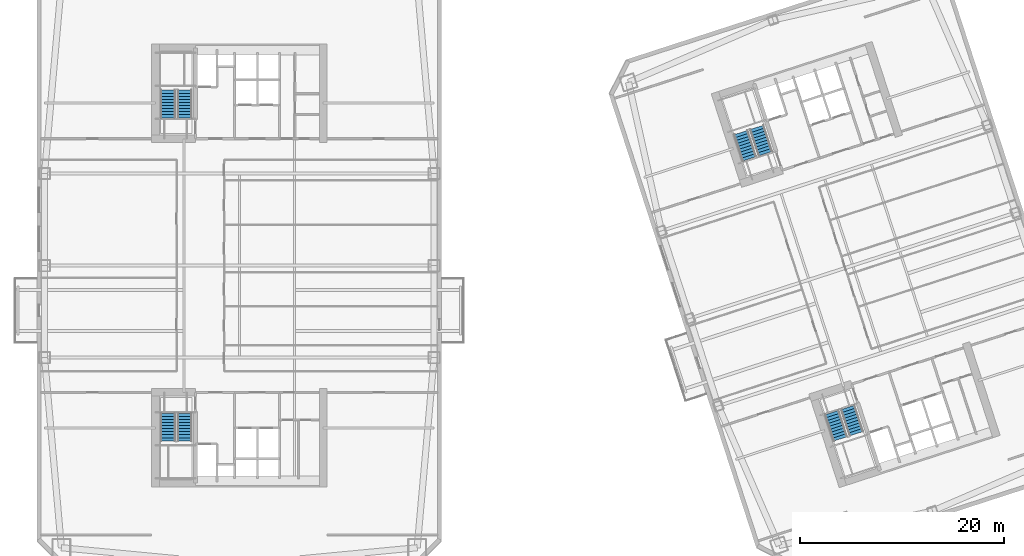
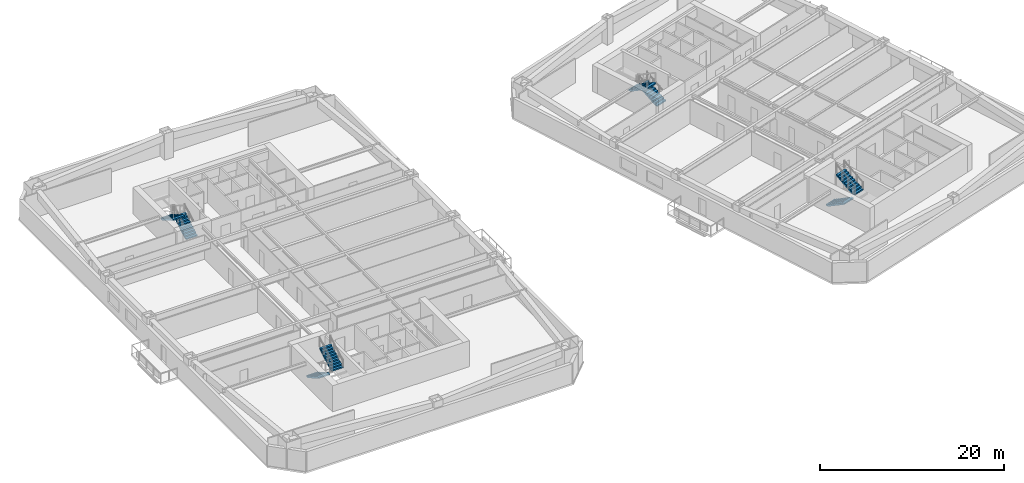
# One storey, part 11 of 15: 8 stair flights, 4 elements without a shape of their own.
"""IFC4 building model written with IfcOpenShell, lengths in metres."""

import ifcopenshell
import ifcopenshell.guid

model = None  # the IFC model being written
_history = None  # IfcOwnerHistory: only IFC2X3 demands one
_inside = {}  # id of a spatial element -> (the spatial element, [elements in it])
_under = {}  # id of a project, library or spatial element -> (it, [spatial elements below it])
_declared = {}  # id of a project -> (the project, [libraries it declares])
_typed = {}  # id of a type object -> (the type object, [elements of that type])
_made_of = {}  # id of a material, layer set ... -> (it, [elements and type objects made of it])


def new_model(schema):
    """Start an empty IFC model of exactly this schema.

    Asked for "IFC4X3", IfcOpenShell would pick the latest addendum, in which some entities
    have other attributes; the version numbers below select the first issue.
    IFC2X3 requires an IfcOwnerHistory on every rooted entity: one is made here for all.
    """
    global model, _history
    if schema == "IFC4X3":
        model = ifcopenshell.file(schema_version=(4, 3, 0, 0))
    else:
        model = ifcopenshell.file(schema=schema)
    _inside.clear()
    _under.clear()
    _declared.clear()
    _typed.clear()
    _made_of.clear()
    _history = None
    if model.schema == "IFC2X3":
        org = make("IfcOrganization", Name="unknown")
        user = make(
            "IfcPersonAndOrganization",
            ThePerson=make("IfcPerson", FamilyName="unknown"),
            TheOrganization=org,
        )
        app = make(
            "IfcApplication",
            ApplicationDeveloper=org,
            Version="unknown",
            ApplicationFullName="unknown",
            ApplicationIdentifier="unknown",
        )
        _history = make(
            "IfcOwnerHistory",
            OwningUser=user,
            OwningApplication=app,
            ChangeAction="ADDED",
            CreationDate=0,
        )
    return model


def make(cls, **values):
    """One entity of the class cls with the attributes given. An attribute that is None is left unset."""
    return model.create_entity(
        cls, **{name: value for name, value in values.items() if value is not None}
    )


def rooted(cls, **values):
    """An entity with a GlobalId (a new one), such as an element, a storey or a relation."""
    return make(cls, GlobalId=ifcopenshell.guid.new(), OwnerHistory=_history, **values)


def si_unit(unit_type, name, prefix=None):
    """IfcSIUnit, for example si_unit("LENGTHUNIT", "METRE", prefix="MILLI")."""
    return make("IfcSIUnit", UnitType=unit_type, Prefix=prefix, Name=name)


def assignment(units):
    """IfcUnitAssignment: the units of a project."""
    return None if units is None else make("IfcUnitAssignment", Units=units)


def point(xyz):
    """IfcCartesianPoint."""
    return None if xyz is None else make("IfcCartesianPoint", Coordinates=xyz)


def direction(xyz):
    """IfcDirection."""
    return None if xyz is None else make("IfcDirection", DirectionRatios=xyz)


def frame(location, z_axis=None, x_axis=None):
    """IfcAxis2Placement3D, a coordinate frame: its origin and axes. An axis left out is left unset."""
    return make(
        "IfcAxis2Placement3D",
        Location=point(location),
        Axis=direction(z_axis),
        RefDirection=direction(x_axis),
    )


def origin():
    """The frame at (0, 0, 0) with its axes left unset."""
    return frame((0.0, 0.0, 0.0))


def place(relative_to, where):
    """IfcLocalPlacement: puts the frame where relative to a parent placement (None: the world)."""
    return make(
        "IfcLocalPlacement", PlacementRelTo=relative_to, RelativePlacement=where
    )


def context(
    kind, dimensions, precision=None, world=None, true_north=None, identifier=None
):
    """IfcGeometricRepresentationContext, for example the 3D "Model" context."""
    return make(
        "IfcGeometricRepresentationContext",
        ContextIdentifier=identifier,
        ContextType=kind,
        CoordinateSpaceDimension=dimensions,
        Precision=precision,
        WorldCoordinateSystem=world,
        TrueNorth=true_north,
    )


def subcontext(parent, identifier, kind, view, scale=None):
    """IfcGeometricRepresentationSubContext, for example "Body" below "Model"."""
    return make(
        "IfcGeometricRepresentationSubContext",
        ContextIdentifier=identifier,
        ContextType=kind,
        ParentContext=parent,
        TargetScale=scale,
        TargetView=view,
    )


def project(units=None, contexts=None):
    """IfcProject with its units and contexts."""
    return rooted(
        "IfcProject",
        Name="project",
        RepresentationContexts=contexts,
        UnitsInContext=assignment(units),
    )


def spatial(cls, under=None, at=None, **own):
    """A site, building, storey or space (cls), placed at a placement, below another one or the project."""
    s = rooted(cls, ObjectPlacement=at, **own)
    if under is not None:
        _under.setdefault(under.id(), (under, []))[1].append(s)
    return s


def polyline(points):
    """IfcPolyline through the points."""
    return make("IfcPolyline", Points=[point(p) for p in points])


def outline(outer, holes=None, kind="AREA"):
    """IfcArbitraryClosedProfileDef: a profile drawn as a closed curve; with holes, ...WithVoids."""
    if holes is None:
        return make("IfcArbitraryClosedProfileDef", ProfileType=kind, OuterCurve=outer)
    return make(
        "IfcArbitraryProfileDefWithVoids",
        ProfileType=kind,
        OuterCurve=outer,
        InnerCurves=holes,
    )


def extrude(swept, where, along, depth):
    """IfcExtrudedAreaSolid: the profile swept, set in the frame where, extruded along a direction by depth."""
    return make(
        "IfcExtrudedAreaSolid",
        SweptArea=swept,
        Position=where,
        ExtrudedDirection=direction(along),
        Depth=depth,
    )


def shape(context_of_items, identifier, shape_type, items):
    """IfcShapeRepresentation: the items that make up one representation, for example the "Body"."""
    return make(
        "IfcShapeRepresentation",
        ContextOfItems=context_of_items,
        RepresentationIdentifier=identifier,
        RepresentationType=shape_type,
        Items=items,
    )


def material(Name=None, Category=None):
    """IfcMaterial."""
    return make("IfcMaterial", Name=Name, Category=Category)


def made_of(thing, what):
    """Note that an element or type object is made of a material, layer set ...; save() writes the relation."""
    if what is not None:
        _made_of.setdefault(what.id(), (what, []))[1].append(thing)
    return thing


def type_object(cls, material=None, **own):
    """A type object (cls), such as IfcWallType, which elements share."""
    return made_of(rooted(cls, **own), material)


def element(
    cls,
    number,
    at=None,
    inside=None,
    cuts=None,
    type_object=None,
    material=None,
    context=None,
    identifier="Body",
    shape_type=None,
    held_by="IfcProductDefinitionShape",
    body=None,
    shapes=None,
    **own,
):
    """One element of the class cls, such as IfcWall. Its Tag is "e" and its number.

    at: its placement. inside: the storey or other place that contains it. cuts: it is an
    opening in that element (IfcRelVoidsElement). A single representation is given by context,
    identifier, shape_type and body (its items); several are given by shapes. held_by: the class
    of the entity that holds the representations. save() writes the other relations.
    """
    e = rooted(cls, Tag="e%d" % number, ObjectPlacement=at, **own)
    if body is not None:
        shapes = [shape(context, identifier, shape_type, body)]
    if shapes is not None:
        e.Representation = make(held_by, Representations=shapes)
    if inside is not None:
        _inside.setdefault(inside.id(), (inside, []))[1].append(e)
    if cuts is not None:
        rooted(
            "IfcRelVoidsElement", RelatingBuildingElement=cuts, RelatedOpeningElement=e
        )
    if type_object is not None:
        _typed.setdefault(type_object.id(), (type_object, []))[1].append(e)
    return made_of(e, material)


def aggregate(whole, parts):
    """IfcRelAggregates: a whole, such as a stair, and the parts it consists of."""
    return rooted("IfcRelAggregates", RelatingObject=whole, RelatedObjects=parts)


def save(model, path):
    """Write the relations noted so far, then the file.

    IfcRelAggregates (storeys below a building ...), IfcRelContainedInSpatialStructure (elements
    in a storey), IfcRelDefinesByType, IfcRelAssociatesMaterial and IfcRelDeclares: one each for
    every whole, place, type object, material and project.
    """
    for whole, parts in _under.values():
        aggregate(whole, parts)
    for where, things in _inside.values():
        rooted(
            "IfcRelContainedInSpatialStructure",
            RelatedElements=things,
            RelatingStructure=where,
        )
    for kind, things in _typed.values():
        rooted("IfcRelDefinesByType", RelatedObjects=things, RelatingType=kind)
    for what, things in _made_of.values():
        rooted("IfcRelAssociatesMaterial", RelatedObjects=things, RelatingMaterial=what)
    for by, libraries in _declared.values():
        rooted("IfcRelDeclares", RelatingContext=by, RelatedDefinitions=libraries)
    model.write(path)


model = new_model("IFC4")

# Units and contexts
model_context = context("Model", 3, precision=1e-05, world=origin(), true_north=direction((0.0, 1.0)))
body_context = subcontext(model_context, "Body", "Model", "MODEL_VIEW")
ifc_project = project(units=[si_unit("LENGTHUNIT", "METRE"), si_unit("AREAUNIT", "SQUARE_METRE"), si_unit("VOLUMEUNIT", "CUBIC_METRE"), si_unit("PLANEANGLEUNIT", "RADIAN"), si_unit("MASSUNIT", "GRAM", prefix="KILO")], contexts=[model_context])

# Site, building, storey
site_placement = place(None, origin())
site = spatial("IfcSite", under=ifc_project, at=site_placement, CompositionType="ELEMENT")
building_placement = place(site_placement, origin())
building = spatial("IfcBuilding", under=site, at=building_placement, Name="Qiaolan Cultural Towers", CompositionType="ELEMENT")
storey_placement = place(building_placement, frame((0.0, 0.0, 81.64990234375)))
storey = spatial("IfcBuildingStorey", under=building, at=storey_placement, Name="L20", CompositionType="ELEMENT", Elevation=81.64990234375)

# Stair, stair flights
ifc_material_1 = material(Name="Concrete C45", Category="concrete")
stair_type = type_object("IfcStairType", Name="STR-CORE-1500", PredefinedType="HALF_TURN_STAIR", material=ifc_material_1)
stair_1_placement = place(storey_placement, origin())
stair_1 = element("IfcStair", 1, at=stair_1_placement, inside=storey, type_object=stair_type, Name="L20 Smokeproof Exit Stair ST-W1", PredefinedType="HALF_TURN_STAIR")
ifc_material_2 = material(Name="Concrete C45", Category="concrete")
stair_flight_type = type_object("IfcStairFlightType", Name="STR-CORE-1500-FL", PredefinedType="STRAIGHT", material=ifc_material_2)
stair_flight_1_placement = place(storey_placement, frame((23.02001953125, 19.550048828125, 0.0), z_axis=(0.0, 0.0, 1.0), x_axis=(0.0, -1.0, 0.0)))
stair_flight_1 = element("IfcStairFlight", 2, at=stair_flight_1_placement, type_object=stair_flight_type, Name="ST-W1 flight 1", NumberOfRisers=10, NumberOfTreads=9, PredefinedType="STRAIGHT", RiserHeight=0.1725, TreadLength=0.3, context=body_context, shape_type="SweptSolid", body=[
    extrude(outline(polyline([(0.0, 0.0), (0.0, 0.172607421875), (0.300048828125, 0.172607421875), (0.300048828125, 0.344970703125), (0.60009765625, 0.344970703125), (0.60009765625, 0.517578125), (0.89990234375, 0.517578125), (0.89990234375, 0.68994140625), (1.199951171875, 0.68994140625), (1.199951171875, 0.862548828125), (1.5, 0.862548828125), (1.5, 1.034912109375), (1.800048828125, 1.034912109375), (1.800048828125, 1.20751953125), (2.10009765625, 1.20751953125), (2.10009765625, 1.3798828125), (2.39990234375, 1.3798828125), (2.39990234375, 1.552490234375), (2.699951171875, 1.552490234375), (2.699951171875, 1.72509765625), (2.699951171875, 1.379638671875), (0.30078125, 0.0), (0.0, 0.0)])), frame((0.0, 0.719970703125, 0.0), z_axis=(0.0, -1.0, 0.0), x_axis=(1.0, 0.0, 0.0)), (0.0, 0.0, 1.0), 1.43994140625),
])
stair_flight_2_placement = place(storey_placement, frame((24.659912109375, 16.85009765625, 1.72509765625), z_axis=(0.0, 0.0, 1.0), x_axis=(0.0, 1.0, 0.0)))
stair_flight_2 = element("IfcStairFlight", 3, at=stair_flight_2_placement, type_object=stair_flight_type, Name="ST-W1 flight 2", NumberOfRisers=10, NumberOfTreads=9, PredefinedType="STRAIGHT", RiserHeight=0.1725, TreadLength=0.3, context=body_context, shape_type="SweptSolid", body=[
    extrude(outline(polyline([(0.0, 0.0), (0.0, 0.172607421875), (0.300048828125, 0.172607421875), (0.300048828125, 0.344970703125), (0.60009765625, 0.344970703125), (0.60009765625, 0.517578125), (0.89990234375, 0.517578125), (0.89990234375, 0.68994140625), (1.199951171875, 0.68994140625), (1.199951171875, 0.862548828125), (1.5, 0.862548828125), (1.5, 1.034912109375), (1.800048828125, 1.034912109375), (1.800048828125, 1.20751953125), (2.10009765625, 1.20751953125), (2.10009765625, 1.3798828125), (2.39990234375, 1.3798828125), (2.39990234375, 1.552490234375), (2.699951171875, 1.552490234375), (2.699951171875, 1.72509765625), (2.699951171875, 1.379638671875), (0.30078125, 0.0), (0.0, 0.0)])), frame((0.0, 0.719970703125, 0.0), z_axis=(0.0, -1.0, 0.0), x_axis=(1.0, 0.0, 0.0)), (0.0, 0.0, 1.0), 1.43994140625),
])
aggregate(stair_1, [stair_flight_1, stair_flight_2])

stair_2_placement = place(storey_placement, origin())
stair_2 = element("IfcStair", 4, at=stair_2_placement, inside=storey, type_object=stair_type, Name="L20 Smokeproof Exit Stair ST-W2", PredefinedType="HALF_TURN_STAIR")
stair_flight_3_placement = place(storey_placement, frame((24.659912109375, 48.449951171875, 0.0), z_axis=(0.0, 0.0, 1.0), x_axis=(0.0, 1.0, 0.0)))
stair_flight_3 = element("IfcStairFlight", 5, at=stair_flight_3_placement, type_object=stair_flight_type, Name="ST-W2 flight 1", NumberOfRisers=10, NumberOfTreads=9, PredefinedType="STRAIGHT", RiserHeight=0.1725, TreadLength=0.3, context=body_context, shape_type="SweptSolid", body=[
    extrude(outline(polyline([(0.0, 0.0), (0.0, 0.172607421875), (0.300048828125, 0.172607421875), (0.300048828125, 0.344970703125), (0.60009765625, 0.344970703125), (0.60009765625, 0.517578125), (0.89990234375, 0.517578125), (0.89990234375, 0.68994140625), (1.199951171875, 0.68994140625), (1.199951171875, 0.862548828125), (1.5, 0.862548828125), (1.5, 1.034912109375), (1.800048828125, 1.034912109375), (1.800048828125, 1.20751953125), (2.10009765625, 1.20751953125), (2.10009765625, 1.3798828125), (2.39990234375, 1.3798828125), (2.39990234375, 1.552490234375), (2.699951171875, 1.552490234375), (2.699951171875, 1.72509765625), (2.699951171875, 1.379638671875), (0.30078125, 0.0), (0.0, 0.0)])), frame((0.0, 0.719970703125, 0.0), z_axis=(0.0, -1.0, 0.0), x_axis=(1.0, 0.0, 0.0)), (0.0, 0.0, 1.0), 1.43994140625),
])
stair_flight_4_placement = place(storey_placement, frame((23.02001953125, 51.14990234375, 1.72509765625), z_axis=(0.0, 0.0, 1.0), x_axis=(0.0, -1.0, 0.0)))
stair_flight_4 = element("IfcStairFlight", 6, at=stair_flight_4_placement, type_object=stair_flight_type, Name="ST-W2 flight 2", NumberOfRisers=10, NumberOfTreads=9, PredefinedType="STRAIGHT", RiserHeight=0.1725, TreadLength=0.3, context=body_context, shape_type="SweptSolid", body=[
    extrude(outline(polyline([(0.0, 0.0), (0.0, 0.172607421875), (0.300048828125, 0.172607421875), (0.300048828125, 0.344970703125), (0.60009765625, 0.344970703125), (0.60009765625, 0.517578125), (0.89990234375, 0.517578125), (0.89990234375, 0.68994140625), (1.199951171875, 0.68994140625), (1.199951171875, 0.862548828125), (1.5, 0.862548828125), (1.5, 1.034912109375), (1.800048828125, 1.034912109375), (1.800048828125, 1.20751953125), (2.10009765625, 1.20751953125), (2.10009765625, 1.3798828125), (2.39990234375, 1.3798828125), (2.39990234375, 1.552490234375), (2.699951171875, 1.552490234375), (2.699951171875, 1.72509765625), (2.699951171875, 1.379638671875), (0.30078125, 0.0), (0.0, 0.0)])), frame((0.0, 0.719970703125, 0.0), z_axis=(0.0, -1.0, 0.0), x_axis=(1.0, 0.0, 0.0)), (0.0, 0.0, 1.0), 1.43994140625),
])
aggregate(stair_2, [stair_flight_3, stair_flight_4])

stair_3_placement = place(storey_placement, origin())
stair_3 = element("IfcStair", 7, at=stair_3_placement, inside=storey, type_object=stair_type, Name="L20 Smokeproof Exit Stair ST-E1", PredefinedType="HALF_TURN_STAIR")
stair_flight_5_placement = place(storey_placement, frame((87.96484375, 19.6171875, 0.0), z_axis=(0.0, 0.0, 1.0), x_axis=(0.309016994375, -0.951056516295, 0.0)))
stair_flight_5 = element("IfcStairFlight", 8, at=stair_flight_5_placement, type_object=stair_flight_type, Name="ST-E1 flight 1", NumberOfRisers=10, NumberOfTreads=9, PredefinedType="STRAIGHT", RiserHeight=0.1725, TreadLength=0.3, context=body_context, shape_type="SweptSolid", body=[
    extrude(outline(polyline([(0.0, 0.0), (0.0, 0.172607421875), (0.300048828125, 0.172607421875), (0.300048828125, 0.344970703125), (0.60009765625, 0.344970703125), (0.60009765625, 0.517578125), (0.89990234375, 0.517578125), (0.89990234375, 0.68994140625), (1.199951171875, 0.68994140625), (1.199951171875, 0.862548828125), (1.5, 0.862548828125), (1.5, 1.034912109375), (1.800048828125, 1.034912109375), (1.800048828125, 1.20751953125), (2.10009765625, 1.20751953125), (2.10009765625, 1.3798828125), (2.39990234375, 1.3798828125), (2.39990234375, 1.552490234375), (2.699951171875, 1.552490234375), (2.699951171875, 1.72509765625), (2.699951171875, 1.379638671875), (0.30078125, 0.0), (0.0, 0.0)])), frame((0.0, 0.719970703125, 0.0), z_axis=(0.0, -1.0, 0.0), x_axis=(1.0, 0.0, 0.0)), (0.0, 0.0, 1.0), 1.43994140625),
])
stair_flight_6_placement = place(storey_placement, frame((90.359130859375, 17.55615234375, 1.72509765625), z_axis=(0.0, 0.0, 1.0), x_axis=(-0.309016994375, 0.951056516295, 0.0)))
stair_flight_6 = element("IfcStairFlight", 9, at=stair_flight_6_placement, type_object=stair_flight_type, Name="ST-E1 flight 2", NumberOfRisers=10, NumberOfTreads=9, PredefinedType="STRAIGHT", RiserHeight=0.1725, TreadLength=0.3, context=body_context, shape_type="SweptSolid", body=[
    extrude(outline(polyline([(0.0, 0.0), (0.0, 0.172607421875), (0.300048828125, 0.172607421875), (0.300048828125, 0.344970703125), (0.60009765625, 0.344970703125), (0.60009765625, 0.517578125), (0.89990234375, 0.517578125), (0.89990234375, 0.68994140625), (1.199951171875, 0.68994140625), (1.199951171875, 0.862548828125), (1.5, 0.862548828125), (1.5, 1.034912109375), (1.800048828125, 1.034912109375), (1.800048828125, 1.20751953125), (2.10009765625, 1.20751953125), (2.10009765625, 1.3798828125), (2.39990234375, 1.3798828125), (2.39990234375, 1.552490234375), (2.699951171875, 1.552490234375), (2.699951171875, 1.72509765625), (2.699951171875, 1.379638671875), (0.30078125, 0.0), (0.0, 0.0)])), frame((0.0, 0.719970703125, 0.0), z_axis=(0.0, -1.0, 0.0), x_axis=(1.0, 0.0, 0.0)), (0.0, 0.0, 1.0), 1.43994140625),
])
aggregate(stair_3, [stair_flight_5, stair_flight_6])

stair_4_placement = place(storey_placement, origin())
stair_4 = element("IfcStair", 10, at=stair_4_placement, inside=storey, type_object=stair_type, Name="L20 Smokeproof Exit Stair ST-E2", PredefinedType="HALF_TURN_STAIR")
stair_flight_7_placement = place(storey_placement, frame((81.459228515625, 44.946533203125, 0.0), z_axis=(0.0, 0.0, 1.0), x_axis=(-0.309016994375, 0.951056516295, 0.0)))
stair_flight_7 = element("IfcStairFlight", 11, at=stair_flight_7_placement, type_object=stair_flight_type, Name="ST-E2 flight 1", NumberOfRisers=10, NumberOfTreads=9, PredefinedType="STRAIGHT", RiserHeight=0.1725, TreadLength=0.3, context=body_context, shape_type="SweptSolid", body=[
    extrude(outline(polyline([(0.0, 0.0), (0.0, 0.172607421875), (0.300048828125, 0.172607421875), (0.300048828125, 0.344970703125), (0.60009765625, 0.344970703125), (0.60009765625, 0.517578125), (0.89990234375, 0.517578125), (0.89990234375, 0.68994140625), (1.199951171875, 0.68994140625), (1.199951171875, 0.862548828125), (1.5, 0.862548828125), (1.5, 1.034912109375), (1.800048828125, 1.034912109375), (1.800048828125, 1.20751953125), (2.10009765625, 1.20751953125), (2.10009765625, 1.3798828125), (2.39990234375, 1.3798828125), (2.39990234375, 1.552490234375), (2.699951171875, 1.552490234375), (2.699951171875, 1.72509765625), (2.699951171875, 1.379638671875), (0.30078125, 0.0), (0.0, 0.0)])), frame((0.0, 0.719970703125, 0.0), z_axis=(0.0, -1.0, 0.0), x_axis=(1.0, 0.0, 0.0)), (0.0, 0.0, 1.0), 1.43994140625),
])
stair_flight_8_placement = place(storey_placement, frame((79.065185546875, 47.007568359375, 1.72509765625), z_axis=(0.0, 0.0, 1.0), x_axis=(0.309016994375, -0.951056516295, 0.0)))
stair_flight_8 = element("IfcStairFlight", 12, at=stair_flight_8_placement, type_object=stair_flight_type, Name="ST-E2 flight 2", NumberOfRisers=10, NumberOfTreads=9, PredefinedType="STRAIGHT", RiserHeight=0.1725, TreadLength=0.3, context=body_context, shape_type="SweptSolid", body=[
    extrude(outline(polyline([(0.0, 0.0), (0.0, 0.172607421875), (0.300048828125, 0.172607421875), (0.300048828125, 0.344970703125), (0.60009765625, 0.344970703125), (0.60009765625, 0.517578125), (0.89990234375, 0.517578125), (0.89990234375, 0.68994140625), (1.199951171875, 0.68994140625), (1.199951171875, 0.862548828125), (1.5, 0.862548828125), (1.5, 1.034912109375), (1.800048828125, 1.034912109375), (1.800048828125, 1.20751953125), (2.10009765625, 1.20751953125), (2.10009765625, 1.3798828125), (2.39990234375, 1.3798828125), (2.39990234375, 1.552490234375), (2.699951171875, 1.552490234375), (2.699951171875, 1.72509765625), (2.699951171875, 1.379638671875), (0.30078125, 0.0), (0.0, 0.0)])), frame((0.0, 0.719970703125, 0.0), z_axis=(0.0, -1.0, 0.0), x_axis=(1.0, 0.0, 0.0)), (0.0, 0.0, 1.0), 1.43994140625),
])
aggregate(stair_4, [stair_flight_7, stair_flight_8])

save(model, "model.ifc")
